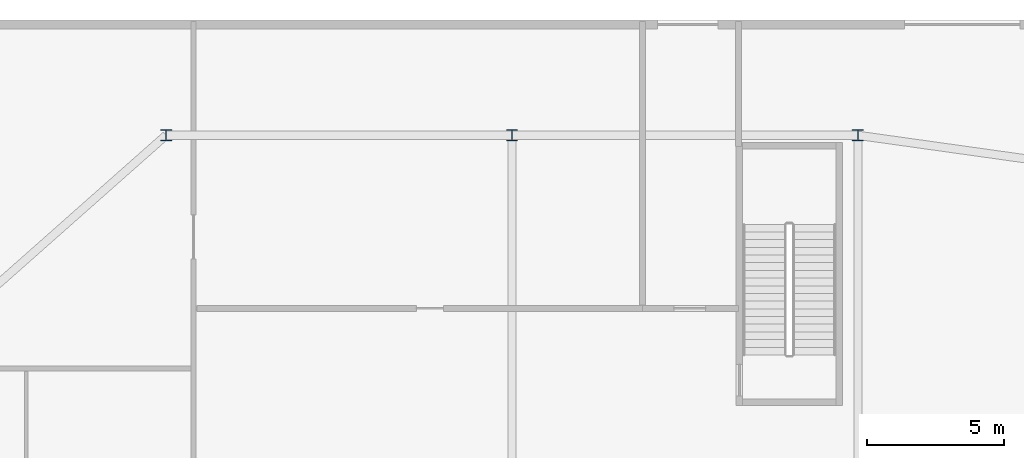
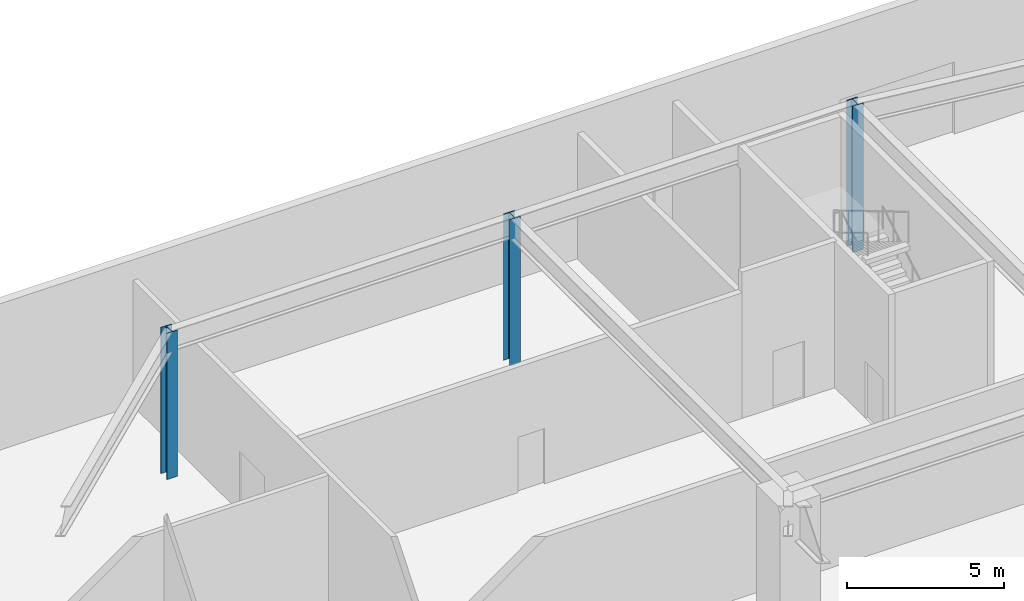
# One storey, part 2 of 20: 3 columns.
"""IFC4 building model written with IfcOpenShell, lengths in metres."""

from ifc_helpers import new_model, si_unit, direction, frame, origin, origin_2d, place, context, subcontext, project, spatial, i_section, extrude, material, material_profile, profile_set, type_object, element, save


model = new_model("IFC4")

# Units and contexts
model_context = context("Model", 3, precision=1e-05, world=origin(), true_north=direction((0.0, 1.0)))
body_context = subcontext(model_context, "Body", "Model", "MODEL_VIEW")
ifc_project = project(units=[si_unit("LENGTHUNIT", "METRE"), si_unit("AREAUNIT", "SQUARE_METRE"), si_unit("VOLUMEUNIT", "CUBIC_METRE"), si_unit("PLANEANGLEUNIT", "RADIAN"), si_unit("MASSUNIT", "GRAM", prefix="KILO")], contexts=[model_context])

# Site, building, storey
site_placement = place(None, origin())
site = spatial("IfcSite", under=ifc_project, at=site_placement, CompositionType="ELEMENT")
building_placement = place(site_placement, origin())
building = spatial("IfcBuilding", under=site, at=building_placement, Name="Calvorn Quay Hotel", CompositionType="ELEMENT")
storey_placement = place(building_placement, origin())
storey = spatial("IfcBuildingStorey", under=building, at=storey_placement, Name="L00", CompositionType="ELEMENT", Elevation=0.0)

# Columns
ifc_material = material(Name="Steel Q420GJC", Category="steel")
ifc_material_profile = material_profile(ifc_material, i_section(OverallWidth=0.39990234375, OverallDepth=0.39990234375, WebThickness=0.012939453125, FlangeThickness=0.02099609375, FilletRadius=0.02197265625, at=origin_2d()), Name="HW400x400x13x21")
ifc_profile_set = profile_set([ifc_material_profile], Name="Steel Q420GJC")
column_type = type_object("IfcColumnType", Name="COL-STL-POD-PIL", PredefinedType="PILASTER", material=ifc_profile_set)
for number, where, z_axis, x_axis, name in (
    (1, (32.39990234375, 53.800048828125, 0.0), (0.0, 0.0, 1.0), (1.0, 0.0, 0.0), "Column C-PN3 (L00)"),
    (2, (45.0, 53.800048828125, 0.0), (0.0, 0.0, 1.0), (1.0, 0.0, 0.0), "Column C-PN4 (L00)"),
    (3, (57.60009765625, 53.800048828125, 0.0), (0.0, 0.0, 1.0), (1.0, 0.0, 0.0), "Column C-PN5 (L00)"),
):
    element("IfcColumn", number, at=place(storey_placement, frame(where, z_axis=z_axis, x_axis=x_axis)), inside=storey, type_object=column_type, Name=name, PredefinedType="PILASTER", context=body_context, shape_type="SweptSolid", body=[
        extrude(i_section(OverallWidth=0.39990234375, OverallDepth=0.39990234375, WebThickness=0.012939453125, FlangeThickness=0.02099609375, FilletRadius=0.02197265625, at=origin_2d()), origin(), (0.0, 0.0, 1.0), 5.679931640625),
    ])

save(model, "model.ifc")
